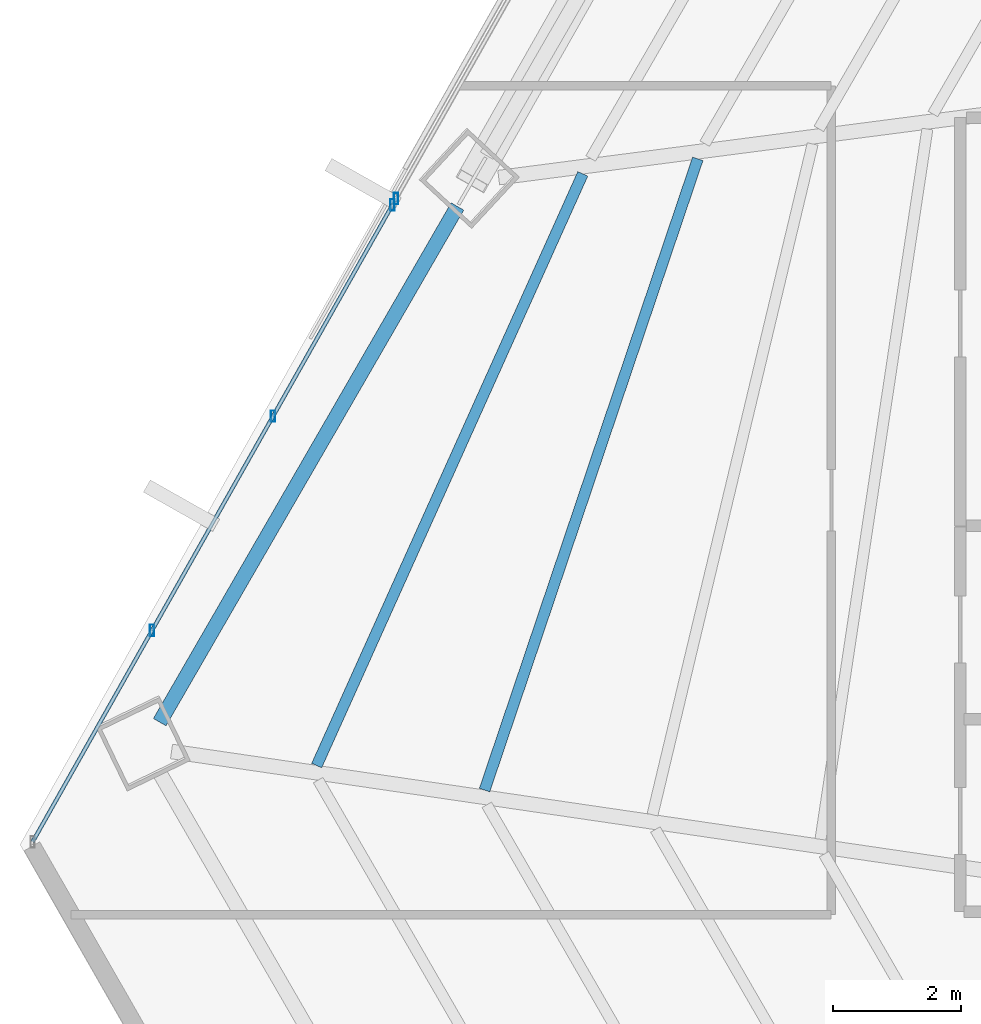
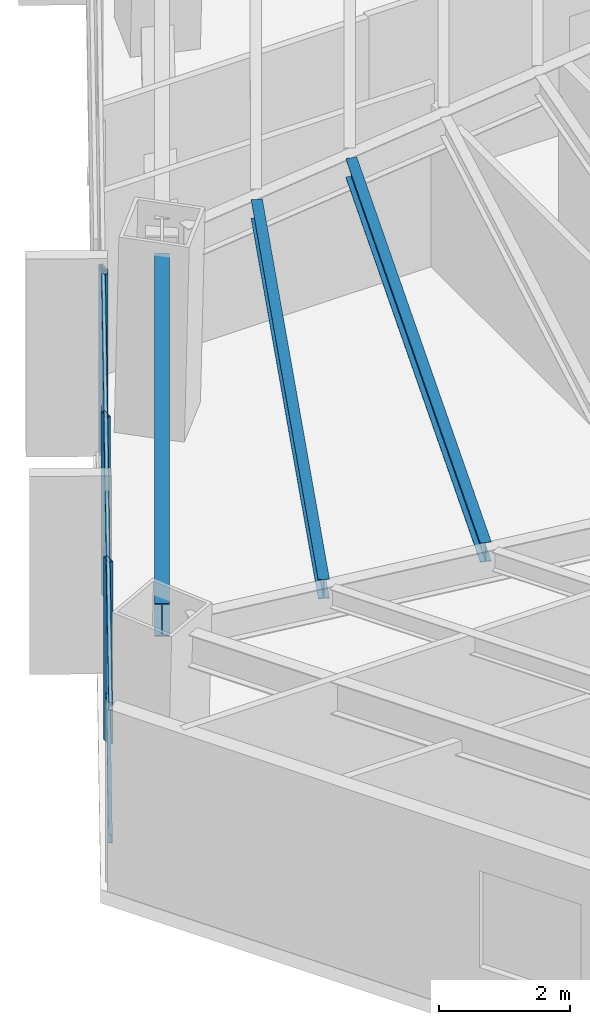
# One storey, part 11 of 36: 6 members, 3 beams, 2 elements without a shape of their own.
"""IFC4 building model written with IfcOpenShell, lengths in metres."""

from ifc_helpers import new_model, si_unit, direction, frame, origin, origin_2d, place, context, subcontext, project, spatial, hollow_rectangle, i_section, extrude, source, transform, mapped, material, material_profile, profile_set, type_object, type_shapes, element, aggregate, save


model = new_model("IFC4")

# Units and contexts
model_context = context("Model", 3, precision=1e-05, world=origin(), true_north=direction((0.0, 1.0)))
body_context = subcontext(model_context, "Body", "Model", "MODEL_VIEW")
ifc_project = project(units=[si_unit("LENGTHUNIT", "METRE"), si_unit("AREAUNIT", "SQUARE_METRE"), si_unit("VOLUMEUNIT", "CUBIC_METRE"), si_unit("PLANEANGLEUNIT", "RADIAN"), si_unit("MASSUNIT", "GRAM", prefix="KILO")], contexts=[model_context])

# Site, building, storey
site_placement = place(None, origin())
site = spatial("IfcSite", under=ifc_project, at=site_placement, CompositionType="ELEMENT")
building_placement = place(site_placement, origin())
building = spatial("IfcBuilding", under=site, at=building_placement, Name="Caelisora Broadcast Tower", CompositionType="ELEMENT")
storey_placement = place(building_placement, frame((0.0, 0.0, 79.85009765625)))
storey = spatial("IfcBuildingStorey", under=building, at=storey_placement, Name="L20", CompositionType="ELEMENT", Elevation=79.85009765625)

# Beams
ifc_material_1 = material(Name="Steel Grade 350 (AS/NZS 3679.1)", Category="steel")
ifc_material_profile_1 = material_profile(ifc_material_1, i_section(OverallWidth=0.22900390625, OverallDepth=0.611572265625, WebThickness=0.011962890625, FlangeThickness=0.01953125, at=origin_2d()), Name="Steel Grade 350 (AS/NZS 3679.1)")
ifc_profile_set_1 = profile_set([ifc_material_profile_1], Name="Steel Grade 350 (AS/NZS 3679.1)")
beam_type_1 = type_object("IfcBeamType", Name="PG03", PredefinedType="BEAM", material=ifc_profile_set_1)
shared_shape_1 = source(origin(), body_context, "Body", "SweptSolid", [
    extrude(i_section(OverallWidth=0.22900390625, OverallDepth=0.611572265625, WebThickness=0.011962890625, FlangeThickness=0.01953125, at=origin_2d()), origin(), (0.0, 0.0, 1.0), 9.3369140625),
])
type_shapes(beam_type_1, [shared_shape_1])
beam_1_placement = place(storey_placement, frame((19.537109375, 28.206787109375, 3.093994140625), z_axis=(-0.500003119808, -0.866023602555, 0.0), x_axis=(0.866023602555, -0.500003119808, 0.0)))
element("IfcBeam", 1, at=beam_1_placement, inside=storey, type_object=beam_type_1, Name="L20 beam PG03", PredefinedType="BEAM", context=body_context, shape_type="MappedRepresentation", body=[
    mapped(shared_shape_1, transform((0.0, 0.0, 0.0), scale=1.0)),
])
ifc_material_profile_2 = material_profile(ifc_material_1, i_section(OverallWidth=0.172119140625, OverallDepth=0.358642578125, WebThickness=0.008056640625, FlangeThickness=0.012939453125, at=origin_2d()), Name="Steel Grade 350 (AS/NZS 3679.1)")
ifc_profile_set_2 = profile_set([ifc_material_profile_2], Name="Steel Grade 350 (AS/NZS 3679.1)")
beam_type_2 = type_object("IfcBeamType", Name="SB02", PredefinedType="JOIST", material=ifc_profile_set_2)
shared_shape_2 = source(origin(), body_context, "Body", "SweptSolid", [
    extrude(i_section(OverallWidth=0.172119140625, OverallDepth=0.358642578125, WebThickness=0.008056640625, FlangeThickness=0.012939453125, at=origin_2d()), origin(), (0.0, 0.0, 1.0), 10.44677734375),
])
beam_2_placement = place(storey_placement, frame((23.304931640625, 28.95263671875, 3.220703125), z_axis=(-0.320004171608, -0.947416133572, 0.0), x_axis=(0.947416133572, -0.320004171608, 0.0)))
element("IfcBeam", 2, at=beam_2_placement, inside=storey, type_object=beam_type_2, Name="L20 beam SB02", PredefinedType="JOIST", context=body_context, shape_type="MappedRepresentation", body=[
    mapped(shared_shape_2, transform((0.0, 0.0, 0.0), scale=1.0)),
])
shared_shape_3 = source(origin(), body_context, "Body", "SweptSolid", [
    extrude(i_section(OverallWidth=0.172119140625, OverallDepth=0.358642578125, WebThickness=0.008056640625, FlangeThickness=0.012939453125, at=origin_2d()), origin(), (0.0, 0.0, 1.0), 10.172607421875),
])
type_shapes(beam_type_2, [shared_shape_2, shared_shape_3])
beam_3_placement = place(storey_placement, frame((21.502197265625, 28.71826171875, 3.220703125), z_axis=(-0.410176065132, -0.912006357211, 0.0), x_axis=(0.912006357211, -0.410176065132, 0.0)))
element("IfcBeam", 3, at=beam_3_placement, inside=storey, type_object=beam_type_2, Name="L20 beam SB02", PredefinedType="JOIST", context=body_context, shape_type="MappedRepresentation", body=[
    mapped(shared_shape_3, transform((0.0, 0.0, 0.0), scale=1.0)),
])

# Curtain wall, members
ifc_material_2 = material(Name="Unitised Aluminium and Low-E Glass Curtain Wall", Category="glass")
curtain_wall_type_1 = type_object("IfcCurtainWallType", Name="CW-Z2", PredefinedType="NOTDEFINED", material=ifc_material_2)
curtain_wall_1_placement = place(storey_placement, origin())
curtain_wall_1 = element("IfcCurtainWall", 4, at=curtain_wall_1_placement, inside=storey, type_object=curtain_wall_type_1, Name="L20 curtain wall CW-Z2", PredefinedType="NOTDEFINED")
ifc_material_3 = material(Name="Aluminium 6063-T6 Anodised Terracotta Bronze", Category="aluminium")
ifc_material_profile_3 = material_profile(ifc_material_3, hollow_rectangle(XDim=0.06494140625, YDim=0.179931640625, WallThickness=0.00341796875, at=origin_2d()), Name="Aluminium 6063-T6 Anodised Terracotta Bronze")
ifc_profile_set_3 = profile_set([ifc_material_profile_3], Name="Aluminium 6063-T6 Anodised Terracotta Bronze")
member_type_1 = type_object("IfcMemberType", Name="CWM-02", PredefinedType="MULLION", material=ifc_profile_set_3)
shared_shape_4 = source(origin(), body_context, "Body", "SweptSolid", [
    extrude(hollow_rectangle(XDim=0.06494140625, YDim=0.179931640625, WallThickness=0.00341796875, at=origin_2d()), origin(), (0.0, 0.0, 1.0), 3.39990234375),
])
type_shapes(member_type_1, [shared_shape_4])
member_1_placement = place(storey_placement, frame((14.748291015625, 21.558837890625, 0.0), z_axis=(0.0, 0.0, 1.0), x_axis=(1.0, 0.0, 0.0)))
member_1 = element("IfcMember", 5, at=member_1_placement, type_object=member_type_1, Name="L20-CW-B09 mullion #1", PredefinedType="MULLION", context=body_context, shape_type="MappedRepresentation", body=[
    mapped(shared_shape_4, transform((0.0, 0.0, 0.0), scale=1.0)),
])
member_2_placement = place(storey_placement, frame((16.645751953125, 24.917724609375, 0.0), z_axis=(0.0, 0.0, 1.0), x_axis=(1.0, 0.0, 0.0)))
member_2 = element("IfcMember", 6, at=member_2_placement, type_object=member_type_1, Name="L20-CW-B09 mullion #2", PredefinedType="MULLION", context=body_context, shape_type="MappedRepresentation", body=[
    mapped(shared_shape_4, transform((0.0, 0.0, 0.0), scale=1.0)),
])
member_3_placement = place(storey_placement, frame((18.518310546875, 28.233154296875, 0.0), z_axis=(0.0, 0.0, 1.0), x_axis=(1.0, 0.0, 0.0)))
member_3 = element("IfcMember", 7, at=member_3_placement, type_object=member_type_1, Name="L20-CW-B09 mullion #3", PredefinedType="MULLION", context=body_context, shape_type="MappedRepresentation", body=[
    mapped(shared_shape_4, transform((0.0, 0.0, 0.0), scale=1.0)),
])

# Curtain wall, member
ifc_material_4 = material(Name="Unitised Aluminium Insulated Shadow-Box Spandrel Curtain Wall", Category="aluminium")
curtain_wall_type_2 = type_object("IfcCurtainWallType", Name="CW-SP1", PredefinedType="NOTDEFINED", material=ifc_material_4)
curtain_wall_2_placement = place(storey_placement, origin())
curtain_wall_2 = element("IfcCurtainWall", 8, at=curtain_wall_2_placement, inside=storey, type_object=curtain_wall_type_2, Name="L20 curtain wall CW-SP1", PredefinedType="NOTDEFINED")
member_4_placement = place(storey_placement, frame((18.572509765625, 28.328857421875, 0.0), z_axis=(0.0, 0.0, 1.0), x_axis=(1.0, 0.0, 0.0)))
member_4 = element("IfcMember", 9, at=member_4_placement, type_object=member_type_1, Name="L20-CW-B10 mullion #0", PredefinedType="MULLION", context=body_context, shape_type="MappedRepresentation", body=[
    mapped(shared_shape_4, transform((0.0, 0.0, 0.0), scale=1.0)),
])
aggregate(curtain_wall_2, [member_4])

# Member
ifc_material_profile_4 = material_profile(ifc_material_3, hollow_rectangle(XDim=0.06005859375, YDim=0.14990234375, WallThickness=0.00341796875, at=origin_2d()), Name="Aluminium 6063-T6 Anodised Terracotta Bronze")
ifc_profile_set_4 = profile_set([ifc_material_profile_4], Name="Aluminium 6063-T6 Anodised Terracotta Bronze")
member_type_2 = type_object("IfcMemberType", Name="CWT-02", PredefinedType="USERDEFINED", material=ifc_profile_set_4)
shared_shape_5 = source(origin(), body_context, "Body", "SweptSolid", [
    extrude(hollow_rectangle(XDim=0.06005859375, YDim=0.14990234375, WallThickness=0.00341796875, at=origin_2d()), origin(), (0.0, 0.0, 1.0), 11.473388671875),
])
type_shapes(member_type_2, [shared_shape_5])
member_5_placement = place(storey_placement, frame((12.87548828125, 18.243408203125, 0.849853515625), z_axis=(0.491822346252, 0.87069557236, 0.0), x_axis=(-0.87069557236, 0.491822346252, 0.0)))
member_5 = element("IfcMember", 10, at=member_5_placement, type_object=member_type_2, Name="L20-CW-B09 transom #1", ObjectType="TRANSOM", PredefinedType="USERDEFINED", context=body_context, shape_type="MappedRepresentation", body=[
    mapped(shared_shape_5, transform((0.0, 0.0, 0.0), scale=1.0)),
])

member_6_placement = place(storey_placement, frame((12.87548828125, 18.243408203125, 3.31982421875), z_axis=(0.491822346252, 0.87069557236, 0.0), x_axis=(-0.87069557236, 0.491822346252, 0.0)))
member_6 = element("IfcMember", 11, at=member_6_placement, type_object=member_type_2, Name="L20-CW-B09 transom #2", ObjectType="TRANSOM", PredefinedType="USERDEFINED", context=body_context, shape_type="MappedRepresentation", body=[
    mapped(shared_shape_5, transform((0.0, 0.0, 0.0), scale=1.0)),
])

aggregate(curtain_wall_1, [member_1, member_2, member_3, member_5, member_6])

save(model, "model.ifc")
